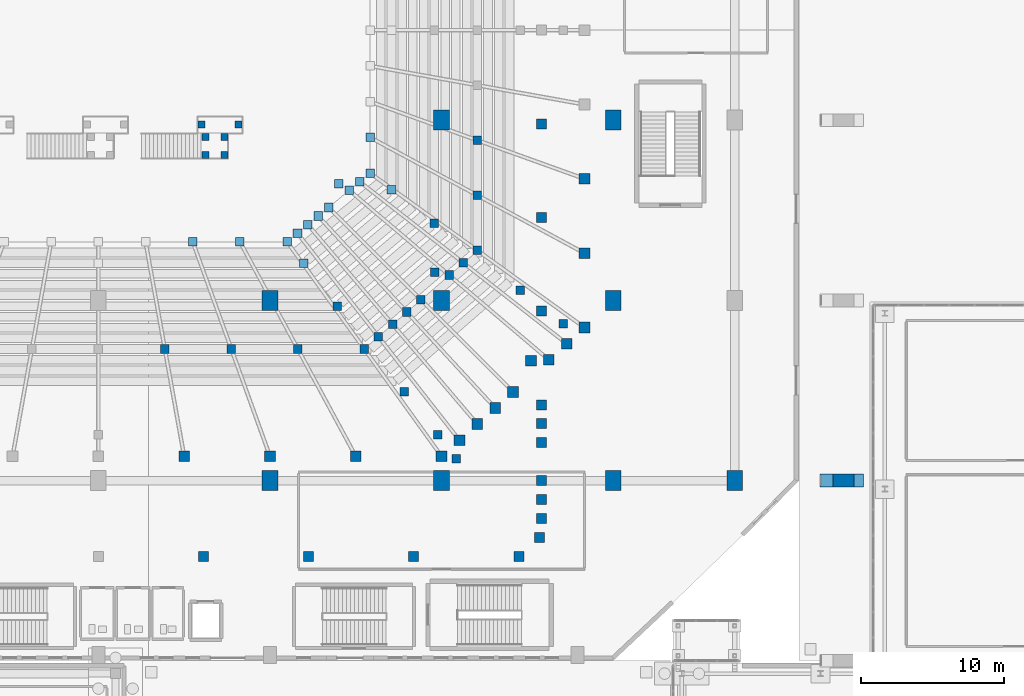
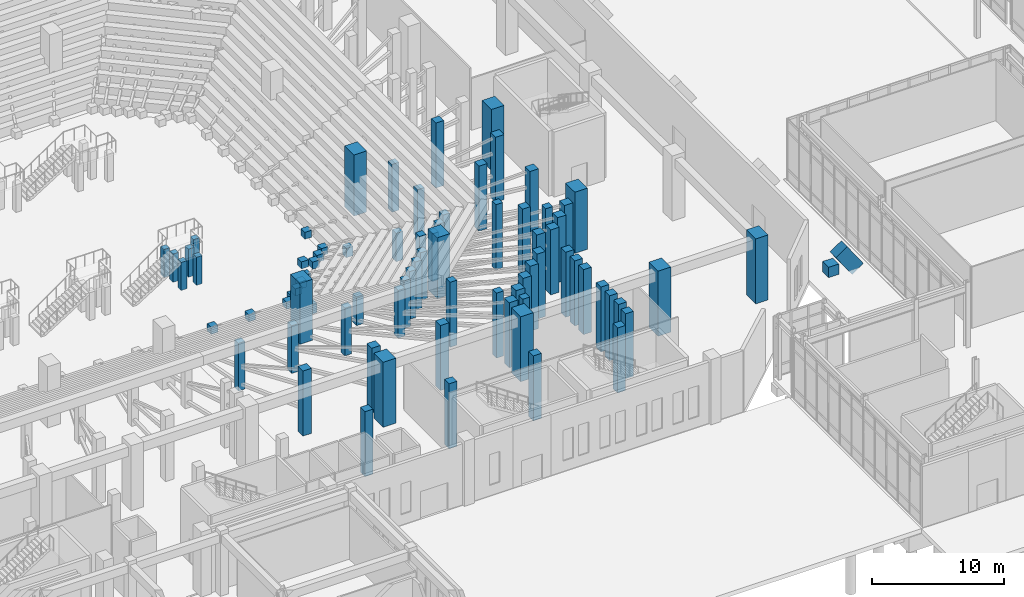
# One storey, part 8 of 143: 80 columns.
"""IFC4 building model written with IfcOpenShell, lengths in metres."""

from ifc_helpers import new_model, si_unit, derived_unit, direction, frame, origin, origin_2d, place, context, subcontext, project, spatial, rectangle, extrude, material, material_profile, profile_set, type_object, element, save


model = new_model("IFC4")

# Units and contexts
model_context = context("Model", 3, precision=1e-05, world=origin(), true_north=direction((0.0, 1.0)))
body_context = subcontext(model_context, "Body", "Model", "MODEL_VIEW")
ifc_project = project(units=[si_unit("LENGTHUNIT", "METRE"), si_unit("AREAUNIT", "SQUARE_METRE"), si_unit("VOLUMEUNIT", "CUBIC_METRE"), si_unit("PLANEANGLEUNIT", "RADIAN"), si_unit("MASSUNIT", "GRAM", prefix="KILO"), derived_unit("THERMALTRANSMITTANCEUNIT", [(si_unit("MASSUNIT", "GRAM", prefix="KILO"), 1), (si_unit("TIMEUNIT", "SECOND"), -3), (si_unit("THERMODYNAMICTEMPERATUREUNIT", "KELVIN"), -1)])], contexts=[model_context])

# Site, building, storey
site_placement = place(None, origin())
site = spatial("IfcSite", under=ifc_project, at=site_placement, CompositionType="ELEMENT")
building_placement = place(site_placement, origin())
building = spatial("IfcBuilding", under=site, at=building_placement, Name="Valcora Ridge Arena", CompositionType="ELEMENT")
storey_placement = place(building_placement, origin())
storey = spatial("IfcBuildingStorey", under=building, at=storey_placement, Name="L00", CompositionType="ELEMENT", Elevation=0.0)

# Columns
ifc_material_1 = material(Name="Concrete C40/50", Category="concrete")
ifc_material_profile_1 = material_profile(ifc_material_1, rectangle(XDim=1.10009765625, YDim=1.39990234375, at=origin_2d()), Name="RC 1100x1400")
ifc_profile_set_1 = profile_set([ifc_material_profile_1], Name="Concrete C40/50")
column_type_1 = type_object("IfcColumnType", Name="TY-COLUMN-C-RC1100", PredefinedType="COLUMN", material=ifc_profile_set_1)
column_1_placement = place(storey_placement, frame((70.0, 32.60009765625, 0.0), z_axis=(0.0, 0.0, 1.0), x_axis=(1.0, 0.0, 0.0)))
element("IfcColumn", 1, at=column_1_placement, inside=storey, type_object=column_type_1, Name="C-RC1100 COL-C-RC1100-0050", PredefinedType="COLUMN", context=body_context, shape_type="SweptSolid", body=[
    extrude(rectangle(XDim=1.10009765625, YDim=1.39990234375, at=origin_2d()), origin(), (0.0, 0.0, 1.0), 6.0),
])
column_2_placement = place(storey_placement, frame((70.0, 45.199951171875, 0.0), z_axis=(0.0, 0.0, 1.0), x_axis=(1.0, 0.0, 0.0)))
element("IfcColumn", 2, at=column_2_placement, inside=storey, type_object=column_type_1, Name="C-RC1100 COL-C-RC1100-0052", PredefinedType="COLUMN", context=body_context, shape_type="SweptSolid", body=[
    extrude(rectangle(XDim=1.10009765625, YDim=1.39990234375, at=origin_2d()), origin(), (0.0, 0.0, 1.0), 5.639892578125),
])
column_3_placement = place(storey_placement, frame((82.0, 32.60009765625, 0.0), z_axis=(0.0, 0.0, 1.0), x_axis=(1.0, 0.0, 0.0)))
element("IfcColumn", 3, at=column_3_placement, inside=storey, type_object=column_type_1, Name="C-RC1100 COL-C-RC1100-0058", PredefinedType="COLUMN", context=body_context, shape_type="SweptSolid", body=[
    extrude(rectangle(XDim=1.10009765625, YDim=1.39990234375, at=origin_2d()), origin(), (0.0, 0.0, 1.0), 6.0),
])
for number, where, z_axis, x_axis, name in (
    (4, (82.0, 45.199951171875, 0.0), (0.0, 0.0, 1.0), (1.0, 0.0, 0.0), "C-RC1100 COL-C-RC1100-0060"),
    (5, (82.0, 57.800048828125, 0.0), (0.0, 0.0, 1.0), (1.0, 0.0, 0.0), "C-RC1100 COL-C-RC1100-0062"),
):
    element("IfcColumn", number, at=place(storey_placement, frame(where, z_axis=z_axis, x_axis=x_axis)), inside=storey, type_object=column_type_1, Name=name, PredefinedType="COLUMN", context=body_context, shape_type="SweptSolid", body=[
        extrude(rectangle(XDim=1.10009765625, YDim=1.39990234375, at=origin_2d()), origin(), (0.0, 0.0, 1.0), 5.639892578125),
    ])
column_4_placement = place(storey_placement, frame((94.0, 32.60009765625, 0.0), z_axis=(0.0, 0.0, 1.0), x_axis=(1.0, 0.0, 0.0)))
element("IfcColumn", 6, at=column_4_placement, inside=storey, type_object=column_type_1, Name="C-RC1100 COL-C-RC1100-0070", PredefinedType="COLUMN", context=body_context, shape_type="SweptSolid", body=[
    extrude(rectangle(XDim=1.10009765625, YDim=1.39990234375, at=origin_2d()), origin(), (0.0, 0.0, 1.0), 6.0),
])
for number, where, z_axis, x_axis, name in (
    (7, (94.0, 45.199951171875, 0.0), (0.0, 0.0, 1.0), (1.0, 0.0, 0.0), "C-RC1100 COL-C-RC1100-0072"),
    (8, (94.0, 57.800048828125, 0.0), (0.0, 0.0, 1.0), (1.0, 0.0, 0.0), "C-RC1100 COL-C-RC1100-0074"),
):
    element("IfcColumn", number, at=place(storey_placement, frame(where, z_axis=z_axis, x_axis=x_axis)), inside=storey, type_object=column_type_1, Name=name, PredefinedType="COLUMN", context=body_context, shape_type="SweptSolid", body=[
        extrude(rectangle(XDim=1.10009765625, YDim=1.39990234375, at=origin_2d()), origin(), (0.0, 0.0, 1.0), 5.639892578125),
    ])
column_5_placement = place(storey_placement, frame((102.5, 32.60009765625, 0.0), z_axis=(0.0, 0.0, 1.0), x_axis=(1.0, 0.0, 0.0)))
element("IfcColumn", 9, at=column_5_placement, inside=storey, type_object=column_type_1, Name="C-RC1100 COL-C-RC1100-0082", PredefinedType="COLUMN", context=body_context, shape_type="SweptSolid", body=[
    extrude(rectangle(XDim=1.10009765625, YDim=1.39990234375, at=origin_2d()), origin(), (0.0, 0.0, 1.0), 6.0),
])
ifc_material_profile_2 = material_profile(ifc_material_1, rectangle(XDim=0.5, YDim=0.5, at=origin_2d()), Name="RC 500x500")
ifc_profile_set_2 = profile_set([ifc_material_profile_2], Name="Concrete C40/50")
column_type_2 = type_object("IfcColumnType", Name="TY-COLUMN-C-RKR500", PredefinedType="COLUMN", material=ifc_profile_set_2)
for number, where, z_axis, x_axis, name in (
    (10, (65.47998046875, 55.3798828125, 0.0), (0.0, 0.0, 1.0), (1.0, 0.0, 0.0), "C-RKR500 COL-VS-C-RKR500-0026"),
    (11, (65.47998046875, 56.6201171875, 0.0), (0.0, 0.0, 1.0), (1.0, 0.0, 0.0), "C-RKR500 COL-VS-C-RKR500-0028"),
    (12, (66.820068359375, 55.3798828125, 0.0), (0.0, 0.0, 1.0), (1.0, 0.0, 0.0), "C-RKR500 COL-VS-C-RKR500-0030"),
    (13, (66.820068359375, 56.6201171875, 0.0), (0.0, 0.0, 1.0), (1.0, 0.0, 0.0), "C-RKR500 COL-VS-C-RKR500-0032"),
    (14, (65.199951171875, 57.5, 0.0), (0.0, 0.0, 1.0), (1.0, 0.0, 0.0), "C-RKR500 COL-VS-C-RKR500-0034"),
    (15, (67.800048828125, 57.5, 0.0), (0.0, 0.0, 1.0), (1.0, 0.0, 0.0), "C-RKR500 COL-VS-C-RKR500-0036"),
):
    element("IfcColumn", number, at=place(storey_placement, frame(where, z_axis=z_axis, x_axis=x_axis)), inside=storey, type_object=column_type_2, Name=name, PredefinedType="COLUMN", context=body_context, shape_type="SweptSolid", body=[
        extrude(rectangle(XDim=0.5, YDim=0.5, at=origin_2d()), origin(), (0.0, 0.0, 1.0), 2.60009765625),
    ])
ifc_material_profile_3 = material_profile(ifc_material_1, rectangle(XDim=0.60009765625, YDim=0.60009765625, at=origin_2d()), Name="RC 600x600")
ifc_profile_set_3 = profile_set([ifc_material_profile_3], Name="Concrete C40/50")
column_type_3 = type_object("IfcColumnType", Name="TY-COLUMN-C-RKR600", PredefinedType="COLUMN", material=ifc_profile_set_3)
for number, where, z_axis, x_axis, name in (
    (16, (62.64990234375, 41.800048828125, 0.0), (0.0, 0.0, 1.0), (1.0, 0.0, 0.0), "C-RKR600 COL-RK-C-RKR600-0012"),
    (17, (67.300048828125, 41.800048828125, 0.0), (0.0, 0.0, 1.0), (1.0, 0.0, 0.0), "C-RKR600 COL-RK-C-RKR600-0014"),
    (18, (71.949951171875, 41.800048828125, 0.0), (0.0, 0.0, 1.0), (1.0, 0.0, 0.0), "C-RKR600 COL-RK-C-RKR600-0016"),
    (19, (76.60009765625, 41.800048828125, 0.0), (0.0, 0.0, 1.0), (1.0, 0.0, 0.0), "C-RKR600 COL-RK-C-RKR600-0018"),
    (20, (77.58740234375, 42.66259765625, 0.0), (0.0, 0.0, 1.0), (1.0, 0.0, 0.0), "C-RKR600 COL-RK-C-RKR600-0020"),
    (21, (78.574951171875, 43.52490234375, 0.0), (0.0, 0.0, 1.0), (1.0, 0.0, 0.0), "C-RKR600 COL-RK-C-RKR600-0022"),
    (22, (79.5625, 44.387451171875, 0.0), (0.0, 0.0, 1.0), (1.0, 0.0, 0.0), "C-RKR600 COL-RK-C-RKR600-0024"),
    (23, (80.550048828125, 45.25, 0.0), (0.0, 0.0, 1.0), (1.0, 0.0, 0.0), "C-RKR600 COL-RK-C-RKR600-0026"),
    (24, (82.52490234375, 46.97509765625, 0.0), (0.0, 0.0, 1.0), (1.0, 0.0, 0.0), "C-RKR600 COL-RK-C-RKR600-0028"),
    (25, (83.512451171875, 47.83740234375, 0.0), (0.0, 0.0, 1.0), (1.0, 0.0, 0.0), "C-RKR600 COL-RK-C-RKR600-0030"),
    (26, (84.5, 48.699951171875, 0.0), (0.0, 0.0, 1.0), (1.0, 0.0, 0.0), "C-RKR600 COL-RK-C-RKR600-0032"),
    (27, (84.5, 52.550048828125, 0.0), (0.0, 0.0, 1.0), (1.0, 0.0, 0.0), "C-RKR600 COL-RK-C-RKR600-0034"),
    (28, (84.5, 56.39990234375, 0.0), (0.0, 0.0, 1.0), (1.0, 0.0, 0.0), "C-RKR600 COL-RK-C-RKR600-0036"),
    (29, (81.53759765625, 47.16259765625, 0.0), (0.0, 0.0, 1.0), (1.0, 0.0, 0.0), "C-RKR600 COL-RKN-C-RKR600-0002"),
):
    element("IfcColumn", number, at=place(storey_placement, frame(where, z_axis=z_axis, x_axis=x_axis)), inside=storey, type_object=column_type_3, Name=name, PredefinedType="COLUMN", context=body_context, shape_type="SweptSolid", body=[
        extrude(rectangle(XDim=0.60009765625, YDim=0.60009765625, at=origin_2d()), origin(), (0.0, 0.0, 1.0), 4.39990234375),
    ])
ifc_material_profile_4 = material_profile(ifc_material_1, rectangle(XDim=0.60009765625, YDim=0.60009765625, at=origin_2d()), Name="RC 600x600")
ifc_profile_set_4 = profile_set([ifc_material_profile_4], Name="Concrete C40/50")
column_type_4 = type_object("IfcColumnType", Name="TY-COLUMN-C-RKR600I", PredefinedType="COLUMN", material=ifc_profile_set_4)
for number, where, z_axis, x_axis, name in (
    (30, (64.60009765625, 49.300048828125, 0.0), (0.0, 0.0, 1.0), (1.0, 0.0, 0.0), "C-RKR600I COL-RK-C-RKR600I-0014"),
    (31, (67.89990234375, 49.300048828125, 0.0), (0.0, 0.0, 1.0), (1.0, 0.0, 0.0), "C-RKR600I COL-RK-C-RKR600I-0016"),
    (32, (71.199951171875, 49.300048828125, 0.0), (0.0, 0.0, 1.0), (1.0, 0.0, 0.0), "C-RKR600I COL-RK-C-RKR600I-0018"),
    (33, (71.925048828125, 49.89990234375, 0.0), (0.0, 0.0, 1.0), (1.0, 0.0, 0.0), "C-RKR600I COL-RK-C-RKR600I-0020"),
    (34, (72.64990234375, 50.5, 0.0), (0.0, 0.0, 1.0), (1.0, 0.0, 0.0), "C-RKR600I COL-RK-C-RKR600I-0022"),
    (35, (73.375, 51.10009765625, 0.0), (0.0, 0.0, 1.0), (1.0, 0.0, 0.0), "C-RKR600I COL-RK-C-RKR600I-0024"),
    (36, (74.10009765625, 51.699951171875, 0.0), (0.0, 0.0, 1.0), (1.0, 0.0, 0.0), "C-RKR600I COL-RK-C-RKR600I-0026"),
    (37, (75.550048828125, 52.89990234375, 0.0), (0.0, 0.0, 1.0), (1.0, 0.0, 0.0), "C-RKR600I COL-RK-C-RKR600I-0028"),
    (38, (76.27490234375, 53.5, 0.0), (0.0, 0.0, 1.0), (1.0, 0.0, 0.0), "C-RKR600I COL-RK-C-RKR600I-0030"),
    (39, (77.0, 54.10009765625, 0.0), (0.0, 0.0, 1.0), (1.0, 0.0, 0.0), "C-RKR600I COL-RK-C-RKR600I-0032"),
    (40, (77.0, 56.60009765625, 0.0), (0.0, 0.0, 1.0), (1.0, 0.0, 0.0), "C-RKR600I COL-RK-C-RKR600I-0034"),
    (41, (74.824951171875, 53.35009765625, 0.0), (0.0, 0.0, 1.0), (1.0, 0.0, 0.0), "C-RKR600I COL-RKN-C-RKR600I-0002"),
):
    element("IfcColumn", number, at=place(storey_placement, frame(where, z_axis=z_axis, x_axis=x_axis)), inside=storey, type_object=column_type_4, Name=name, PredefinedType="COLUMN", context=body_context, shape_type="SweptSolid", body=[
        extrude(rectangle(XDim=0.60009765625, YDim=0.60009765625, at=origin_2d()), origin(), (0.0, 0.0, 1.0), 0.64990234375),
    ])
for number, where, z_axis, x_axis, name in (
    (42, (72.3701171875, 47.800048828125, 0.0), (0.0, 0.0, 1.0), (1.0, 0.0, 0.0), "C-RKR600I COL-R2-C-RKR600I-0003"),
    (43, (78.5, 52.929931640625, 0.0), (0.0, 0.0, 1.0), (1.0, 0.0, 0.0), "C-RKR600I COL-R2-C-RKR600I-0004"),
):
    element("IfcColumn", number, at=place(storey_placement, frame(where, z_axis=z_axis, x_axis=x_axis)), inside=storey, type_object=column_type_4, Name=name, PredefinedType="COLUMN", context=body_context, shape_type="SweptSolid", body=[
        extrude(rectangle(XDim=0.60009765625, YDim=0.60009765625, at=origin_2d()), origin(), (0.0, 0.0, 1.0), 0.85498046875),
    ])
for number, where, z_axis, x_axis, name in (
    (44, (74.7099609375, 44.800048828125, 0.0), (0.0, 0.0, 1.0), (1.0, 0.0, 0.0), "C-RKR600I COL-R2-C-RKR600I-0014"),
    (45, (81.5, 50.590087890625, 0.0), (0.0, 0.0, 1.0), (1.0, 0.0, 0.0), "C-RKR600I COL-R2-C-RKR600I-0015"),
):
    element("IfcColumn", number, at=place(storey_placement, frame(where, z_axis=z_axis, x_axis=x_axis)), inside=storey, type_object=column_type_4, Name=name, PredefinedType="COLUMN", context=body_context, shape_type="SweptSolid", body=[
        extrude(rectangle(XDim=0.60009765625, YDim=0.60009765625, at=origin_2d()), origin(), (0.0, 0.0, 1.0), 2.614990234375),
    ])
for number, where, z_axis, x_axis, name in (
    (46, (79.389892578125, 38.800048828125, 0.0), (0.0, 0.0, 1.0), (1.0, 0.0, 0.0), "C-RKR600I COL-R2-C-RKR600I-0024"),
    (47, (87.5, 45.909912109375, 0.0), (0.0, 0.0, 1.0), (1.0, 0.0, 0.0), "C-RKR600I COL-R2-C-RKR600I-0025"),
    (48, (81.72998046875, 35.800048828125, 0.0), (0.0, 0.0, 1.0), (1.0, 0.0, 0.0), "C-RKR600I COL-R2-C-RKR600I-0037"),
    (49, (90.5, 43.570068359375, 0.0), (0.0, 0.0, 1.0), (1.0, 0.0, 0.0), "C-RKR600I COL-R2-C-RKR600I-0039"),
    (50, (83.040283203125, 34.1201171875, 0.0), (0.0, 0.0, 1.0), (1.0, 0.0, 0.0), "C-RKR600I COL-R2-C-RKR600I-0059"),
):
    element("IfcColumn", number, at=place(storey_placement, frame(where, z_axis=z_axis, x_axis=x_axis)), inside=storey, type_object=column_type_4, Name=name, PredefinedType="COLUMN", context=body_context, shape_type="SweptSolid", body=[
        extrude(rectangle(XDim=0.60009765625, YDim=0.60009765625, at=origin_2d()), origin(), (0.0, 0.0, 1.0), 6.0),
    ])
ifc_material_profile_5 = material_profile(ifc_material_1, rectangle(XDim=0.75, YDim=0.75, at=origin_2d()), Name="RC 750x750")
ifc_profile_set_5 = profile_set([ifc_material_profile_5], Name="Concrete C40/50")
column_type_5 = type_object("IfcColumnType", Name="TY-COLUMN-C-RKR750", PredefinedType="COLUMN", material=ifc_profile_set_5)
for number, where, z_axis, x_axis, name in (
    (51, (64.0, 34.300048828125, 0.0), (0.0, 0.0, 1.0), (1.0, 0.0, 0.0), "C-RKR750 COL-RK-C-RKR750-0012"),
    (52, (70.0, 34.300048828125, 0.0), (0.0, 0.0, 1.0), (1.0, 0.0, 0.0), "C-RKR750 COL-RK-C-RKR750-0014"),
    (53, (76.0, 34.300048828125, 0.0), (0.0, 0.0, 1.0), (1.0, 0.0, 0.0), "C-RKR750 COL-RK-C-RKR750-0016"),
    (54, (82.0, 34.300048828125, 0.0), (0.0, 0.0, 1.0), (1.0, 0.0, 0.0), "C-RKR750 COL-RK-C-RKR750-0018"),
    (55, (83.25, 35.425048828125, 0.0), (0.0, 0.0, 1.0), (1.0, 0.0, 0.0), "C-RKR750 COL-RK-C-RKR750-0020"),
    (56, (84.5, 36.550048828125, 0.0), (0.0, 0.0, 1.0), (1.0, 0.0, 0.0), "C-RKR750 COL-RK-C-RKR750-0022"),
    (57, (85.75, 37.675048828125, 0.0), (0.0, 0.0, 1.0), (1.0, 0.0, 0.0), "C-RKR750 COL-RK-C-RKR750-0024"),
    (58, (87.0, 38.800048828125, 0.0), (0.0, 0.0, 1.0), (1.0, 0.0, 0.0), "C-RKR750 COL-RK-C-RKR750-0026"),
    (59, (89.5, 41.050048828125, 0.0), (0.0, 0.0, 1.0), (1.0, 0.0, 0.0), "C-RKR750 COL-RK-C-RKR750-0028"),
    (60, (90.75, 42.175048828125, 0.0), (0.0, 0.0, 1.0), (1.0, 0.0, 0.0), "C-RKR750 COL-RK-C-RKR750-0030"),
    (61, (92.0, 43.300048828125, 0.0), (0.0, 0.0, 1.0), (1.0, 0.0, 0.0), "C-RKR750 COL-RK-C-RKR750-0032"),
    (62, (92.0, 48.5, 0.0), (0.0, 0.0, 1.0), (1.0, 0.0, 0.0), "C-RKR750 COL-RK-C-RKR750-0034"),
    (63, (92.0, 53.699951171875, 0.0), (0.0, 0.0, 1.0), (1.0, 0.0, 0.0), "C-RKR750 COL-RK-C-RKR750-0036"),
    (64, (88.25, 40.97509765625, 0.0), (0.0, 0.0, 1.0), (1.0, 0.0, 0.0), "C-RKR750 COL-RKN-C-RKR750-0002"),
):
    element("IfcColumn", number, at=place(storey_placement, frame(where, z_axis=z_axis, x_axis=x_axis)), inside=storey, type_object=column_type_5, Name=name, PredefinedType="COLUMN", context=body_context, shape_type="SweptSolid", body=[
        extrude(rectangle(XDim=0.75, YDim=0.75, at=origin_2d()), origin(), (0.0, 0.0, 1.0), 6.0),
    ])
ifc_material_profile_6 = material_profile(ifc_material_1, rectangle(XDim=0.699951171875, YDim=0.699951171875, at=origin_2d()), Name="RC 700x700")
ifc_profile_set_6 = profile_set([ifc_material_profile_6], Name="Concrete C40/50")
column_type_6 = type_object("IfcColumnType", Name="TY-COLUMN-C-RKRU700B", PredefinedType="COLUMN", material=ifc_profile_set_6)
for number, where, z_axis, x_axis, name in (
    (65, (65.35009765625, 27.300048828125, 0.0), (0.0, 0.0, 1.0), (1.0, 0.0, 0.0), "C-RKRU700B COL-RK-C-RKRU700B-0027"),
    (66, (72.699951171875, 27.300048828125, 0.0), (0.0, 0.0, 1.0), (1.0, 0.0, 0.0), "C-RKRU700B COL-RK-C-RKRU700B-0032"),
    (67, (80.050048828125, 27.300048828125, 0.0), (0.0, 0.0, 1.0), (1.0, 0.0, 0.0), "C-RKRU700B COL-RK-C-RKRU700B-0037"),
    (68, (87.39990234375, 27.300048828125, 0.0), (0.0, 0.0, 1.0), (1.0, 0.0, 0.0), "C-RKRU700B COL-RK-C-RKRU700B-0042"),
    (69, (88.85009765625, 28.625, 0.0), (0.0, 0.0, 1.0), (1.0, 0.0, 0.0), "C-RKRU700B COL-RK-C-RKRU700B-0047"),
    (70, (89.0, 29.949951171875, 0.0), (0.0, 0.0, 1.0), (1.0, 0.0, 0.0), "C-RKRU700B COL-RK-C-RKRU700B-0052"),
    (71, (89.0, 31.27490234375, 0.0), (0.0, 0.0, 1.0), (1.0, 0.0, 0.0), "C-RKRU700B COL-RK-C-RKRU700B-0057"),
    (72, (89.0, 32.60009765625, 0.0), (0.0, 0.0, 1.0), (1.0, 0.0, 0.0), "C-RKRU700B COL-RK-C-RKRU700B-0062"),
    (73, (89.0, 35.25, 0.0), (0.0, 0.0, 1.0), (1.0, 0.0, 0.0), "C-RKRU700B COL-RK-C-RKRU700B-0067"),
    (74, (89.0, 36.574951171875, 0.0), (0.0, 0.0, 1.0), (1.0, 0.0, 0.0), "C-RKRU700B COL-RK-C-RKRU700B-0072"),
    (75, (89.0, 37.89990234375, 0.0), (0.0, 0.0, 1.0), (1.0, 0.0, 0.0), "C-RKRU700B COL-RK-C-RKRU700B-0077"),
    (76, (89.0, 44.449951171875, 0.0), (0.0, 0.0, 1.0), (1.0, 0.0, 0.0), "C-RKRU700B COL-RK-C-RKRU700B-0082"),
    (77, (89.0, 51.0, 0.0), (0.0, 0.0, 1.0), (1.0, 0.0, 0.0), "C-RKRU700B COL-RK-C-RKRU700B-0087"),
    (78, (89.0, 57.550048828125, 0.0), (0.0, 0.0, 1.0), (1.0, 0.0, 0.0), "C-RKRU700B COL-RK-C-RKRU700B-0092"),
):
    element("IfcColumn", number, at=place(storey_placement, frame(where, z_axis=z_axis, x_axis=x_axis)), inside=storey, type_object=column_type_6, Name=name, PredefinedType="COLUMN", context=body_context, shape_type="SweptSolid", body=[
        extrude(rectangle(XDim=0.699951171875, YDim=0.699951171875, at=origin_2d()), origin(), (0.0, 0.0, 1.0), 6.0),
    ])
ifc_material_2 = material(Name="Concrete C45/55", Category="concrete")
ifc_material_profile_7 = material_profile(ifc_material_2, rectangle(XDim=0.89990234375, YDim=0.89990234375, at=origin_2d()), Name="RC 900x900")
ifc_profile_set_7 = profile_set([ifc_material_profile_7], Name="Concrete C45/55")
column_type_7 = type_object("IfcColumnType", Name="TY-COLUMN-C-SHOE-900", PredefinedType="COLUMN", material=ifc_profile_set_7)
column_6_placement = place(storey_placement, frame((108.909912109375, 32.60009765625, 0.0), z_axis=(0.0, 0.0, 1.0), x_axis=(1.0, 0.0, 0.0)))
element("IfcColumn", 79, at=column_6_placement, inside=storey, type_object=column_type_7, Name="C-SHOE-900 COL-SH-C-SHOE-900-0004", PredefinedType="COLUMN", context=body_context, shape_type="SweptSolid", body=[
    extrude(rectangle(XDim=0.89990234375, YDim=0.89990234375, at=origin_2d()), origin(), (0.0, 0.0, 1.0), 0.949951171875),
])
ifc_material_3 = material(Name="Bush-hammered Andean travertine architectural concrete C45/55", Category="masonry")
ifc_material_profile_8 = material_profile(ifc_material_3, rectangle(XDim=0.89990234375, YDim=1.199951171875, at=origin_2d()), Name="RC 900x1200")
ifc_profile_set_8 = profile_set([ifc_material_profile_8], Name="Bush-hammered Andean travertine architectural concrete C45/55")
column_type_8 = type_object("IfcColumnType", Name="TY-COLUMN-MC-BUTTRESS", PredefinedType="PILASTER", material=ifc_profile_set_8)
column_7_placement = place(storey_placement, frame((111.009521484375, 32.60009765625, -0.094970703125), z_axis=(-0.567496326798, 0.0, 0.823375928159), x_axis=(0.0, -1.0, 0.0)))
element("IfcColumn", 80, at=column_7_placement, inside=storey, type_object=column_type_8, Name="Flying-Buttress Mega Column MC-BUTTRESS", PredefinedType="PILASTER", context=body_context, shape_type="SweptSolid", body=[
    extrude(rectangle(XDim=0.89990234375, YDim=1.199951171875, at=origin_2d()), origin(), (0.0, 0.0, 1.0), 2.483642578125),
])

save(model, "model.ifc")
